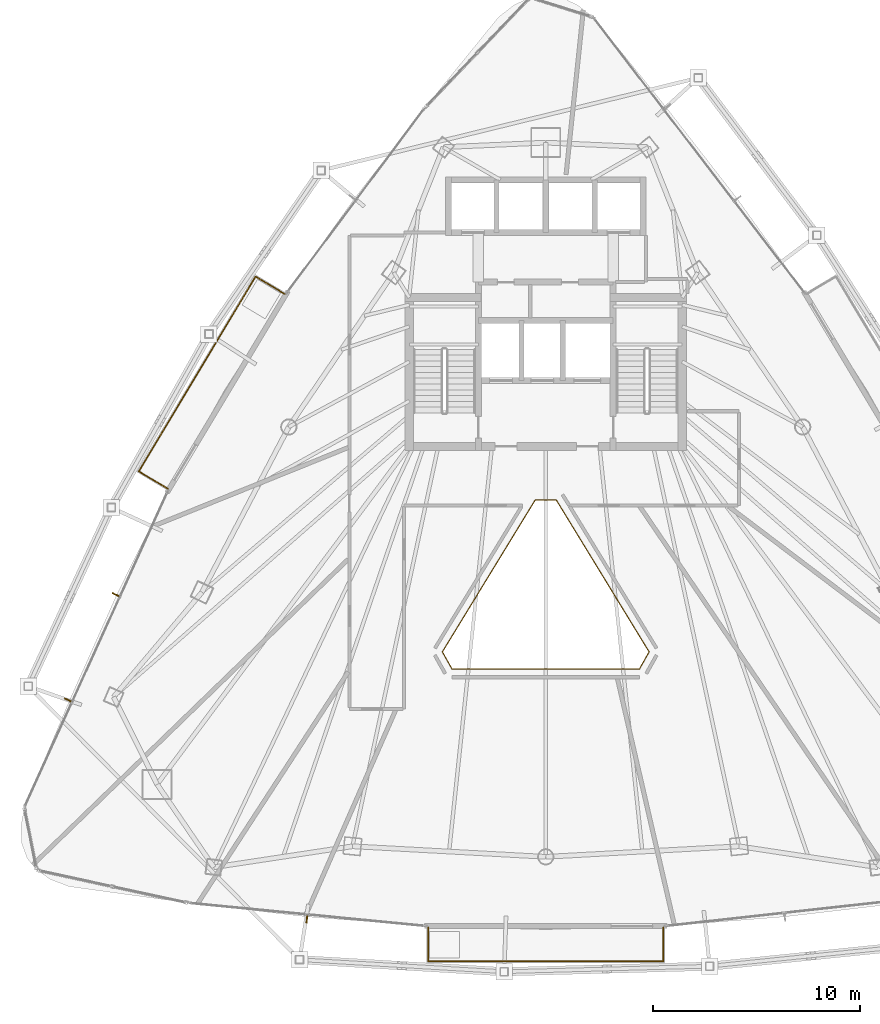
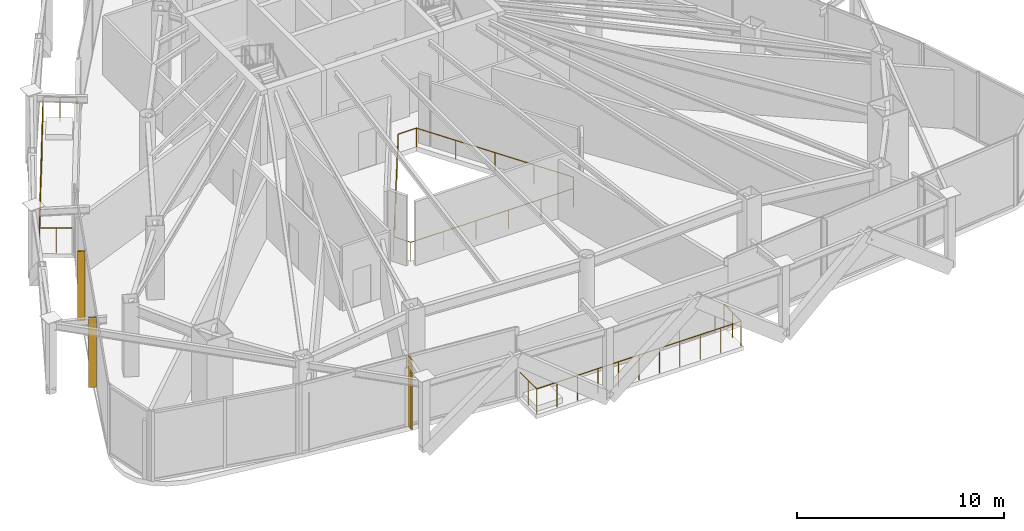
# One storey, part 26 of 28: 3 railings, 3 shading devices.
"""IFC4 building model written with IfcOpenShell, lengths in metres."""

from ifc_helpers import new_model, si_unit, direction, frame, origin, origin_2d, place, context, subcontext, project, spatial, rectangle, circle, extrude, material, layer, layer_set, type_object, element, save


model = new_model("IFC4")

# Units and contexts
model_context = context("Model", 3, precision=1e-05, world=origin(), true_north=direction((0.0, 1.0)))
body_context = subcontext(model_context, "Body", "Model", "MODEL_VIEW")
ifc_project = project(units=[si_unit("LENGTHUNIT", "METRE"), si_unit("AREAUNIT", "SQUARE_METRE"), si_unit("VOLUMEUNIT", "CUBIC_METRE"), si_unit("PLANEANGLEUNIT", "RADIAN"), si_unit("MASSUNIT", "GRAM", prefix="KILO")], contexts=[model_context])

# Site, building, storey
site_placement = place(None, origin())
site = spatial("IfcSite", under=ifc_project, at=site_placement, CompositionType="ELEMENT")
building_placement = place(site_placement, origin())
building = spatial("IfcBuilding", under=site, at=building_placement, Name="Orvanel Arch Residences", CompositionType="ELEMENT")
storey_placement = place(building_placement, frame((0.0, 0.0, 146.300048828125)))
storey = spatial("IfcBuildingStorey", under=building, at=storey_placement, Name="L41", CompositionType="ELEMENT", Elevation=146.300048828125)

# Shading devices
ifc_material = material(Name="Bronze-anodised aluminium AA6063-T6", Category="aluminium")
ifc_layer = layer(ifc_material, 0.06005859375)
ifc_layer_set = layer_set([ifc_layer], Name="Bronze-anodised aluminium AA6063-T6")
shading_device_type = type_object("IfcShadingDeviceType", Name="FIN-BRZ-380", PredefinedType="USERDEFINED", material=ifc_layer_set)
for number, where, z_axis, x_axis, name in (
    (1, (12.2041015625, 19.527099609375, 0.0), (0.0, 0.0, 1.0), (-0.910683660806, 0.413104429825, 0.0), "L41 Anodised Bronze Mullion FIN 01"),
    (2, (9.889892578125, 14.429931640625, 0.0), (0.0, 0.0, 1.0), (-0.910683660806, 0.413104429825, 0.0), "L41 Anodised Bronze Mullion FIN 02"),
    (3, (21.443115234375, 3.83203125, 0.0), (0.0, 0.0, 1.0), (-0.097582899759, -0.995227399982, 0.0), "L41 Anodised Bronze Mullion FIN 01"),
):
    element("IfcShadingDevice", number, at=place(storey_placement, frame(where, z_axis=z_axis, x_axis=x_axis)), inside=storey, type_object=shading_device_type, Name=name, ObjectType="FIN", PredefinedType="USERDEFINED", context=body_context, shape_type="SweptSolid", body=[
        extrude(rectangle(XDim=0.3798828125, YDim=0.06005859375, at=origin_2d()), origin(), (0.0, 0.0, 1.0), 4.110107421875),
    ])

# Railings
railing_type_1 = type_object("IfcRailingType", Name="RL-ATR-1120", PredefinedType="BALUSTRADE", material=ifc_material)
railing_1_placement = place(storey_placement, frame((33.507080078125, 24.10888671875, 0.0)))
element("IfcRailing", 4, at=railing_1_placement, inside=storey, type_object=railing_type_1, Name="L41 Atrium Void Protective Balustrade", PredefinedType="BALUSTRADE", context=body_context, shape_type="SweptSolid", body=[
    extrude(circle(Radius=0.02392578125, at=origin_2d()), frame((-0.00146484375, 0.0, 1.09619140625), z_axis=(-1.0, 0.0, 0.0), x_axis=(0.0, -1.0, 0.0)), (0.0, 0.0, 1.0), 1.01123046875),
    extrude(circle(Radius=0.02392578125, at=origin_2d()), frame((-1.014892578125, -0.001220703125, 1.09619140625), z_axis=(-0.521499318572, -0.853251698345, 0.0), x_axis=(0.853251698345, -0.521499318572, 0.0)), (0.0, 0.0, 1.0), 8.608642578125),
    extrude(circle(Radius=0.02392578125, at=origin_2d()), frame((-5.50439453125, -7.34912109375, 1.09619140625), z_axis=(0.489002798836, -0.872282215072, 0.0), x_axis=(0.872282215072, 0.489002798836, 0.0)), (0.0, 0.0, 1.0), 0.946044921875),
    extrude(circle(Radius=0.02392578125, at=origin_2d()), frame((-5.03955078125, -8.17578125, 1.09619140625), z_axis=(1.0, 0.0, 0.0), x_axis=(0.0, 1.0, 0.0)), (0.0, 0.0, 1.0), 9.06396484375),
    extrude(circle(Radius=0.02392578125, at=origin_2d()), frame((4.026611328125, -8.174560546875, 1.09619140625), z_axis=(0.489785102566, 0.871843193071, 0.0), x_axis=(-0.871843193071, 0.489785102566, 0.0)), (0.0, 0.0, 1.0), 0.946533203125),
    extrude(circle(Radius=0.02392578125, at=origin_2d()), frame((4.490234375, -7.3466796875, 1.09619140625), z_axis=(-0.521499318572, 0.853251698345, 0.0), x_axis=(-0.853251698345, -0.521499318572, 0.0)), (0.0, 0.0, 1.0), 8.608642578125),
    extrude(circle(Radius=0.02099609375, at=origin_2d()), origin(), (0.0, 0.0, 1.0), 1.070068359375),
    extrude(circle(Radius=0.02099609375, at=origin_2d()), frame((-1.01416015625, 0.0, 0.0)), (0.0, 0.0, 1.0), 1.070068359375),
    extrude(circle(Radius=0.02099609375, at=origin_2d()), frame((-2.136962890625, -1.8369140625, 0.0)), (0.0, 0.0, 1.0), 1.070068359375),
    extrude(circle(Radius=0.02099609375, at=origin_2d()), frame((-3.259765625, -3.673828125, 0.0)), (0.0, 0.0, 1.0), 1.070068359375),
    extrude(circle(Radius=0.02099609375, at=origin_2d()), frame((-4.38232421875, -5.510986328125, 0.0)), (0.0, 0.0, 1.0), 1.070068359375),
    extrude(circle(Radius=0.02099609375, at=origin_2d()), frame((-5.505126953125, -7.347900390625, 0.0)), (0.0, 0.0, 1.0), 1.070068359375),
    extrude(circle(Radius=0.02099609375, at=origin_2d()), frame((-5.041015625, -8.17578125, 0.0)), (0.0, 0.0, 1.0), 1.070068359375),
    extrude(circle(Radius=0.02099609375, at=origin_2d()), frame((-3.2275390625, -8.17578125, 0.0)), (0.0, 0.0, 1.0), 1.070068359375),
    extrude(circle(Radius=0.02099609375, at=origin_2d()), frame((-1.414306640625, -8.17578125, 0.0)), (0.0, 0.0, 1.0), 1.070068359375),
    extrude(circle(Radius=0.02099609375, at=origin_2d()), frame((0.399169921875, -8.17578125, 0.0)), (0.0, 0.0, 1.0), 1.070068359375),
    extrude(circle(Radius=0.02099609375, at=origin_2d()), frame((2.21240234375, -8.17578125, 0.0)), (0.0, 0.0, 1.0), 1.070068359375),
    extrude(circle(Radius=0.02099609375, at=origin_2d()), frame((4.02587890625, -8.17578125, 0.0)), (0.0, 0.0, 1.0), 1.070068359375),
    extrude(circle(Radius=0.02099609375, at=origin_2d()), frame((4.490966796875, -7.347900390625, 0.0)), (0.0, 0.0, 1.0), 1.070068359375),
    extrude(circle(Radius=0.02099609375, at=origin_2d()), frame((3.3681640625, -5.510986328125, 0.0)), (0.0, 0.0, 1.0), 1.070068359375),
    extrude(circle(Radius=0.02099609375, at=origin_2d()), frame((2.24560546875, -3.673828125, 0.0)), (0.0, 0.0, 1.0), 1.070068359375),
    extrude(circle(Radius=0.02099609375, at=origin_2d()), frame((1.122802734375, -1.8369140625, 0.0)), (0.0, 0.0, 1.0), 1.070068359375),
])
railing_type_2 = type_object("IfcRailingType", Name="RL-BAL-1480", PredefinedType="BALUSTRADE", material=ifc_material)
railing_2_placement = place(storey_placement, frame((20.3701171875, 34.075927734375, 0.0)))
element("IfcRailing", 5, at=railing_2_placement, inside=storey, type_object=railing_type_2, Name="L41 Balcony Perimeter Guardrail Face 1", PredefinedType="BALUSTRADE", context=body_context, shape_type="SweptSolid", body=[
    extrude(circle(Radius=0.02392578125, at=origin_2d()), frame((-0.001220703125, 0.000732421875, 1.4560546875), z_axis=(-0.857387817543, 0.514670895164, 0.0), x_axis=(-0.514670895164, -0.857387817543, 0.0)), (0.0, 0.0, 1.0), 1.636962890625),
    extrude(circle(Radius=0.02392578125, at=origin_2d()), frame((-1.40673828125, 0.8427734375, 1.4560546875), z_axis=(-0.514440220839, -0.85752624402, 0.0), x_axis=(0.85752624402, -0.514440220839, 0.0)), (0.0, 0.0, 1.0), 10.98779296875),
    extrude(circle(Radius=0.02392578125, at=origin_2d()), frame((-7.058837890625, -8.58154296875, 1.4560546875), z_axis=(0.857479796858, -0.51451763622, 0.0), x_axis=(0.51451763622, 0.857479796858, 0.0)), (0.0, 0.0, 1.0), 1.637939453125),
    extrude(circle(Radius=0.02099609375, at=origin_2d()), origin(), (0.0, 0.0, 1.0), 1.429931640625),
    extrude(circle(Radius=0.02099609375, at=origin_2d()), frame((-0.703125, 0.421875, 0.0)), (0.0, 0.0, 1.0), 1.429931640625),
    extrude(circle(Radius=0.02099609375, at=origin_2d()), frame((-1.406005859375, 0.843994140625, 0.0)), (0.0, 0.0, 1.0), 1.429931640625),
    extrude(circle(Radius=0.02099609375, at=origin_2d()), frame((-1.971435546875, -0.098388671875, 0.0)), (0.0, 0.0, 1.0), 1.429931640625),
    extrude(circle(Radius=0.02099609375, at=origin_2d()), frame((-2.536865234375, -1.041015625, 0.0)), (0.0, 0.0, 1.0), 1.429931640625),
    extrude(circle(Radius=0.02099609375, at=origin_2d()), frame((-3.102294921875, -1.9833984375, 0.0)), (0.0, 0.0, 1.0), 1.429931640625),
    extrude(circle(Radius=0.02099609375, at=origin_2d()), frame((-3.667724609375, -2.926025390625, 0.0)), (0.0, 0.0, 1.0), 1.429931640625),
    extrude(circle(Radius=0.02099609375, at=origin_2d()), frame((-4.23291015625, -3.868408203125, 0.0)), (0.0, 0.0, 1.0), 1.429931640625),
    extrude(circle(Radius=0.02099609375, at=origin_2d()), frame((-4.79833984375, -4.810791015625, 0.0)), (0.0, 0.0, 1.0), 1.429931640625),
    extrude(circle(Radius=0.02099609375, at=origin_2d()), frame((-5.36376953125, -5.75341796875, 0.0)), (0.0, 0.0, 1.0), 1.429931640625),
    extrude(circle(Radius=0.02099609375, at=origin_2d()), frame((-5.92919921875, -6.69580078125, 0.0)), (0.0, 0.0, 1.0), 1.429931640625),
    extrude(circle(Radius=0.02099609375, at=origin_2d()), frame((-6.49462890625, -7.638427734375, 0.0)), (0.0, 0.0, 1.0), 1.429931640625),
    extrude(circle(Radius=0.02099609375, at=origin_2d()), frame((-7.06005859375, -8.580810546875, 0.0)), (0.0, 0.0, 1.0), 1.429931640625),
    extrude(circle(Radius=0.02099609375, at=origin_2d()), frame((-6.3564453125, -9.0029296875, 0.0)), (0.0, 0.0, 1.0), 1.429931640625),
    extrude(circle(Radius=0.02099609375, at=origin_2d()), frame((-5.653076171875, -9.425048828125, 0.0)), (0.0, 0.0, 1.0), 1.429931640625),
])
railing_3_placement = place(storey_placement, frame((27.31201171875, 3.428955078125, 0.0)))
element("IfcRailing", 6, at=railing_3_placement, inside=storey, type_object=railing_type_2, Name="L41 Balcony Perimeter Guardrail Face 2", PredefinedType="BALUSTRADE", context=body_context, shape_type="SweptSolid", body=[
    extrude(circle(Radius=0.02392578125, at=origin_2d()), frame((0.0, -0.00146484375, 1.4560546875), z_axis=(0.0, -1.0, 0.0), x_axis=(1.0, 0.0, 0.0)), (0.0, 0.0, 1.0), 1.636962890625),
    extrude(circle(Radius=0.02392578125, at=origin_2d()), frame((0.00146484375, -1.639892578125, 1.4560546875), z_axis=(1.0, 0.0, 0.0), x_axis=(0.0, 1.0, 0.0)), (0.0, 0.0, 1.0), 11.373046875),
    extrude(circle(Radius=0.02392578125, at=origin_2d()), frame((11.3759765625, -1.638427734375, 1.4560546875), z_axis=(0.0, 1.0, 0.0), x_axis=(-1.0, 0.0, 0.0)), (0.0, 0.0, 1.0), 1.636962890625),
    extrude(circle(Radius=0.02099609375, at=origin_2d()), origin(), (0.0, 0.0, 1.0), 1.429931640625),
    extrude(circle(Radius=0.02099609375, at=origin_2d()), frame((0.0, -0.81982421875, 0.0)), (0.0, 0.0, 1.0), 1.429931640625),
    extrude(circle(Radius=0.02099609375, at=origin_2d()), frame((0.0, -1.639892578125, 0.0)), (0.0, 0.0, 1.0), 1.429931640625),
    extrude(circle(Radius=0.02099609375, at=origin_2d()), frame((1.1376953125, -1.639892578125, 0.0)), (0.0, 0.0, 1.0), 1.429931640625),
    extrude(circle(Radius=0.02099609375, at=origin_2d()), frame((2.275146484375, -1.639892578125, 0.0)), (0.0, 0.0, 1.0), 1.429931640625),
    extrude(circle(Radius=0.02099609375, at=origin_2d()), frame((3.412841796875, -1.639892578125, 0.0)), (0.0, 0.0, 1.0), 1.429931640625),
    extrude(circle(Radius=0.02099609375, at=origin_2d()), frame((4.55029296875, -1.639892578125, 0.0)), (0.0, 0.0, 1.0), 1.429931640625),
    extrude(circle(Radius=0.02099609375, at=origin_2d()), frame((5.68798828125, -1.639892578125, 0.0)), (0.0, 0.0, 1.0), 1.429931640625),
    extrude(circle(Radius=0.02099609375, at=origin_2d()), frame((6.82568359375, -1.639892578125, 0.0)), (0.0, 0.0, 1.0), 1.429931640625),
    extrude(circle(Radius=0.02099609375, at=origin_2d()), frame((7.963134765625, -1.639892578125, 0.0)), (0.0, 0.0, 1.0), 1.429931640625),
    extrude(circle(Radius=0.02099609375, at=origin_2d()), frame((9.100830078125, -1.639892578125, 0.0)), (0.0, 0.0, 1.0), 1.429931640625),
    extrude(circle(Radius=0.02099609375, at=origin_2d()), frame((10.23828125, -1.639892578125, 0.0)), (0.0, 0.0, 1.0), 1.429931640625),
    extrude(circle(Radius=0.02099609375, at=origin_2d()), frame((11.3759765625, -1.639892578125, 0.0)), (0.0, 0.0, 1.0), 1.429931640625),
    extrude(circle(Radius=0.02099609375, at=origin_2d()), frame((11.3759765625, -0.81982421875, 0.0)), (0.0, 0.0, 1.0), 1.429931640625),
    extrude(circle(Radius=0.02099609375, at=origin_2d()), frame((11.3759765625, 0.0, 0.0)), (0.0, 0.0, 1.0), 1.429931640625),
])

save(model, "model.ifc")
